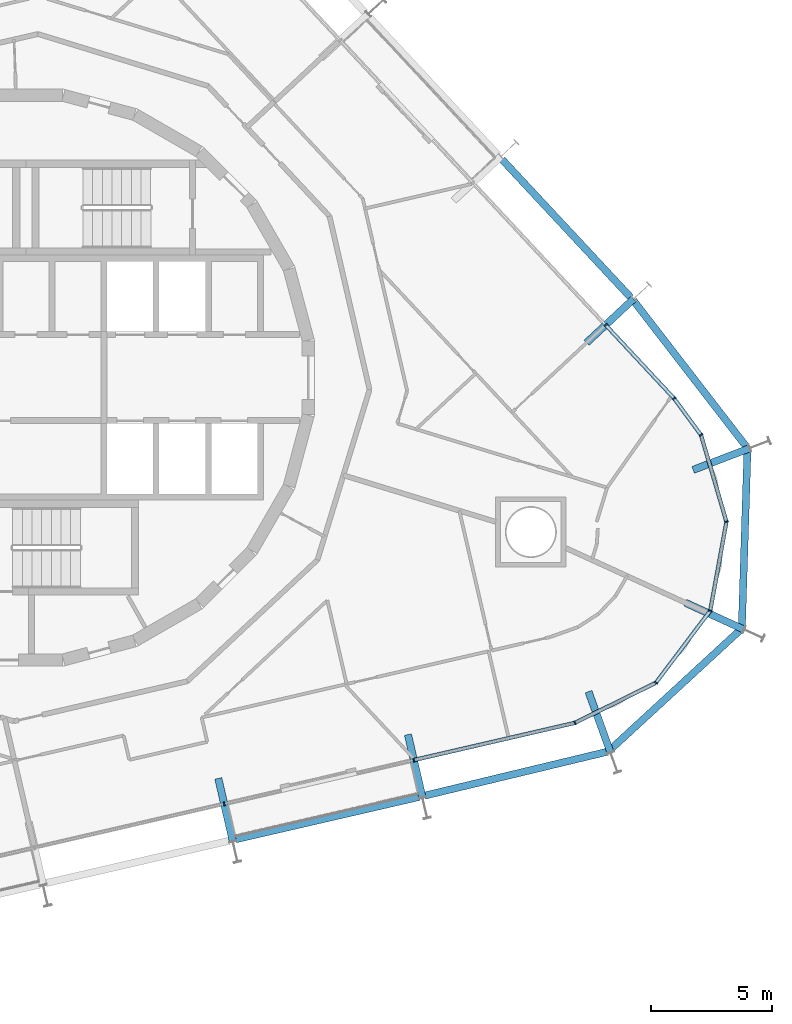
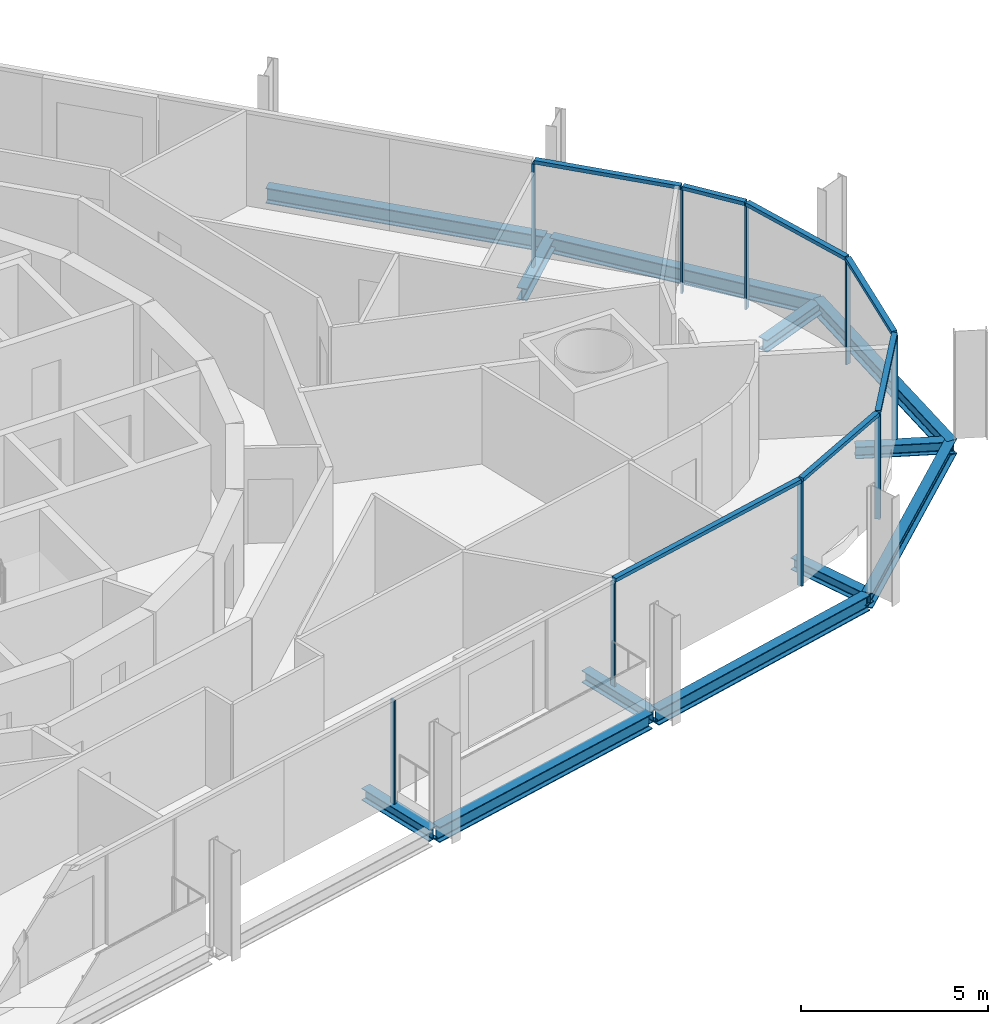
# One storey, part 6 of 18: 16 members, 12 beams, 3 elements without a shape of their own.
"""IFC4 building model written with IfcOpenShell, lengths in metres."""

from ifc_helpers import new_model, si_unit, direction, frame, origin, origin_2d, place, context, subcontext, project, spatial, rectangle, i_section, extrude, material, layer, layer_set, material_profile, profile_set, type_object, element, aggregate, save


model = new_model("IFC4")

# Units and contexts
model_context = context("Model", 3, precision=1e-05, world=origin(), true_north=direction((0.0, 1.0)))
body_context = subcontext(model_context, "Body", "Model", "MODEL_VIEW")
ifc_project = project(units=[si_unit("LENGTHUNIT", "METRE"), si_unit("AREAUNIT", "SQUARE_METRE"), si_unit("VOLUMEUNIT", "CUBIC_METRE"), si_unit("PLANEANGLEUNIT", "RADIAN"), si_unit("MASSUNIT", "GRAM", prefix="KILO")], contexts=[model_context])

# Site, building, storey
site_placement = place(None, origin())
site = spatial("IfcSite", under=ifc_project, at=site_placement, CompositionType="ELEMENT")
building_placement = place(site_placement, origin())
building = spatial("IfcBuilding", under=site, at=building_placement, Name="Spindle Arch Residences", CompositionType="ELEMENT")
storey_placement = place(building_placement, frame((0.0, 0.0, 134.39990234375)))
storey = spatial("IfcBuildingStorey", under=building, at=storey_placement, Name="L33", CompositionType="ELEMENT", Elevation=134.39990234375)

# Curtain wall, members
ifc_material_1 = material(Name="Aluminium bronze unitised frame with tinted glass", Category="aluminium")
ifc_layer_1 = layer(ifc_material_1, 0.159912109375)
ifc_layer_set_1 = layer_set([ifc_layer_1], Name="CW-D corner wall on the fillet arcs")
curtain_wall_type_1 = type_object("IfcCurtainWallType", Name="CW-D corner wall on the fillet arcs", PredefinedType="NOTDEFINED", material=ifc_layer_set_1)
curtain_wall_1_placement = place(storey_placement, origin())
curtain_wall_1 = element("IfcCurtainWall", 1, at=curtain_wall_1_placement, inside=storey, type_object=curtain_wall_type_1, Name="CW-D L33 run 1", PredefinedType="NOTDEFINED")
ifc_material_2 = material(Name="Aluminium bronze anodised mullion", Category="aluminium")
ifc_material_profile_1 = material_profile(ifc_material_2, rectangle(XDim=0.159912109375, YDim=0.06005859375, at=origin_2d()), Name="MU 60x160")
ifc_profile_set_1 = profile_set([ifc_material_profile_1], Name="Aluminium bronze anodised mullion")
member_type_1 = type_object("IfcMemberType", Name="Bronze mullion 60x160", PredefinedType="MULLION", material=ifc_profile_set_1)
member_1_placement = place(storey_placement, frame((16.002685546875, -15.775390625, -0.3798828125), z_axis=(0.0, 0.0, 1.0), x_axis=(-0.224951054344, 0.974370064785, 0.0)))
member_1 = element("IfcMember", 2, at=member_1_placement, type_object=member_type_1, Name="CW-D mullion 00", PredefinedType="MULLION", context=body_context, shape_type="SweptSolid", body=[
    extrude(rectangle(XDim=0.159912109375, YDim=0.06005859375, at=origin_2d()), origin(), (0.0, 0.0, 1.0), 3.3798828125),
])
member_2_placement = place(storey_placement, frame((22.647705078125, -14.2412109375, -0.3798828125), z_axis=(0.0, 0.0, 1.0), x_axis=(-0.443592675931, 0.896228507614, 0.0)))
member_2 = element("IfcMember", 3, at=member_2_placement, type_object=member_type_1, Name="CW-D mullion 01", PredefinedType="MULLION", context=body_context, shape_type="SweptSolid", body=[
    extrude(rectangle(XDim=0.159912109375, YDim=0.06005859375, at=origin_2d()), origin(), (0.0, 0.0, 1.0), 3.3798828125),
])
member_3_placement = place(storey_placement, frame((25.987548828125, -12.588134765625, -0.3798828125), z_axis=(0.0, 0.0, 1.0), x_axis=(-0.798635511056, 0.601815021814, 0.0)))
member_3 = element("IfcMember", 4, at=member_3_placement, type_object=member_type_1, Name="CW-D mullion 02", PredefinedType="MULLION", context=body_context, shape_type="SweptSolid", body=[
    extrude(rectangle(XDim=0.159912109375, YDim=0.06005859375, at=origin_2d()), origin(), (0.0, 0.0, 1.0), 3.3798828125),
])
member_4_placement = place(storey_placement, frame((28.23046875, -9.61181640625, -0.3798828125), z_axis=(0.0, 0.0, 1.0), x_axis=(-0.983780848179, 0.17937458782, 0.0)))
member_4 = element("IfcMember", 5, at=member_4_placement, type_object=member_type_1, Name="CW-D mullion 03", PredefinedType="MULLION", context=body_context, shape_type="SweptSolid", body=[
    extrude(rectangle(XDim=0.159912109375, YDim=0.06005859375, at=origin_2d()), origin(), (0.0, 0.0, 1.0), 3.3798828125),
])
member_5_placement = place(storey_placement, frame((28.89892578125, -5.945556640625, -0.3798828125), z_axis=(0.0, 0.0, 1.0), x_axis=(-0.959641844554, -0.281225052549, 0.0)))
member_5 = element("IfcMember", 6, at=member_5_placement, type_object=member_type_1, Name="CW-D mullion 04", PredefinedType="MULLION", context=body_context, shape_type="SweptSolid", body=[
    extrude(rectangle(XDim=0.159912109375, YDim=0.06005859375, at=origin_2d()), origin(), (0.0, 0.0, 1.0), 3.3798828125),
])
member_6_placement = place(storey_placement, frame((27.850830078125, -2.369140625, -0.3798828125), z_axis=(0.0, 0.0, 1.0), x_axis=(-0.805583724819, -0.592481951039, 0.0)))
member_6 = element("IfcMember", 7, at=member_6_placement, type_object=member_type_1, Name="CW-D mullion 05", PredefinedType="MULLION", context=body_context, shape_type="SweptSolid", body=[
    extrude(rectangle(XDim=0.159912109375, YDim=0.06005859375, at=origin_2d()), origin(), (0.0, 0.0, 1.0), 3.3798828125),
])
member_7_placement = place(storey_placement, frame((26.7392578125, -0.85791015625, -0.3798828125), z_axis=(0.0, 0.0, 1.0), x_axis=(-0.731353701619, -0.681998360062, 0.0)))
member_7 = element("IfcMember", 8, at=member_7_placement, type_object=member_type_1, Name="CW-D mullion 06", PredefinedType="MULLION", context=body_context, shape_type="SweptSolid", body=[
    extrude(rectangle(XDim=0.159912109375, YDim=0.06005859375, at=origin_2d()), origin(), (0.0, 0.0, 1.0), 3.3798828125),
])

# Curtain wall, member
ifc_material_3 = material(Name="Aluminium bronze unitised frame with tinted glass", Category="aluminium")
ifc_layer_2 = layer(ifc_material_3, 0.159912109375)
ifc_layer_set_2 = layer_set([ifc_layer_2], Name="CW-C typical residential unitised wall")
curtain_wall_type_2 = type_object("IfcCurtainWallType", Name="CW-C typical residential unitised wall", PredefinedType="NOTDEFINED", material=ifc_layer_set_2)
curtain_wall_2_placement = place(storey_placement, origin())
curtain_wall_2 = element("IfcCurtainWall", 9, at=curtain_wall_2_placement, inside=storey, type_object=curtain_wall_type_2, Name="CW-C L33 run 2", PredefinedType="NOTDEFINED")
member_8_placement = place(storey_placement, frame((23.91357421875, 2.172607421875, -0.3798828125), z_axis=(0.0, 0.0, 1.0), x_axis=(-0.731353701619, -0.681998360062, 0.0)))
member_8 = element("IfcMember", 10, at=member_8_placement, type_object=member_type_1, Name="CW-C mullion 05", PredefinedType="MULLION", context=body_context, shape_type="SweptSolid", body=[
    extrude(rectangle(XDim=0.159912109375, YDim=0.06005859375, at=origin_2d()), origin(), (0.0, 0.0, 1.0), 3.3798828125),
])
aggregate(curtain_wall_2, [member_8])

curtain_wall_3_placement = place(storey_placement, origin())
curtain_wall_3 = element("IfcCurtainWall", 11, at=curtain_wall_3_placement, inside=storey, type_object=curtain_wall_type_2, Name="CW-C L33 run 6", PredefinedType="NOTDEFINED")
member_9_placement = place(storey_placement, frame((8.17919921875, -17.58154296875, -0.3798828125), z_axis=(0.0, 0.0, 1.0), x_axis=(-0.224951054344, 0.974370064785, 0.0)))
member_9 = element("IfcMember", 12, at=member_9_placement, type_object=member_type_1, Name="CW-C mullion 00", PredefinedType="MULLION", context=body_context, shape_type="SweptSolid", body=[
    extrude(rectangle(XDim=0.159912109375, YDim=0.06005859375, at=origin_2d()), origin(), (0.0, 0.0, 1.0), 3.3798828125),
])
aggregate(curtain_wall_3, [member_9])

# Member
ifc_material_4 = material(Name="Aluminium bronze anodised transom", Category="aluminium")
ifc_material_profile_2 = material_profile(ifc_material_4, rectangle(XDim=0.159912109375, YDim=0.1201171875, at=origin_2d()), Name="TR 120x160")
ifc_profile_set_2 = profile_set([ifc_material_profile_2], Name="Aluminium bronze anodised transom")
member_type_2 = type_object("IfcMemberType", Name="Bronze transom 120x160", PredefinedType="USERDEFINED", material=ifc_profile_set_2)
member_10_placement = place(storey_placement, frame((16.03173828125, -15.7685546875, 3.06005859375), z_axis=(0.974374758263, 0.224930723691, 0.0), x_axis=(-0.224930723691, 0.974374758263, 0.0)))
member_10 = element("IfcMember", 13, at=member_10_placement, type_object=member_type_2, Name="CW-D transom 00", ObjectType="TRANSOM", PredefinedType="USERDEFINED", context=body_context, shape_type="SweptSolid", body=[
    extrude(rectangle(XDim=0.159912109375, YDim=0.1201171875, at=origin_2d()), origin(), (0.0, 0.0, 1.0), 6.760009765625),
])

member_11_placement = place(storey_placement, frame((22.674560546875, -14.22802734375, 3.06005859375), z_axis=(0.896204490037, 0.443641197408, 0.0), x_axis=(-0.443641197408, 0.896204490037, 0.0)))
member_11 = element("IfcMember", 14, at=member_11_placement, type_object=member_type_2, Name="CW-D transom 01", ObjectType="TRANSOM", PredefinedType="USERDEFINED", context=body_context, shape_type="SweptSolid", body=[
    extrude(rectangle(XDim=0.159912109375, YDim=0.1201171875, at=origin_2d()), origin(), (0.0, 0.0, 1.0), 3.666748046875),
])

member_12_placement = place(storey_placement, frame((26.005615234375, -12.564208984375, 3.06005859375), z_axis=(0.601820083797, 0.798631696553, 0.0), x_axis=(-0.798631696553, 0.601820083797, 0.0)))
member_12 = element("IfcMember", 15, at=member_12_placement, type_object=member_type_2, Name="CW-D transom 02", ObjectType="TRANSOM", PredefinedType="USERDEFINED", context=body_context, shape_type="SweptSolid", body=[
    extrude(rectangle(XDim=0.159912109375, YDim=0.1201171875, at=origin_2d()), origin(), (0.0, 0.0, 1.0), 3.666748046875),
])

member_13_placement = place(storey_placement, frame((28.23583984375, -9.582275390625, 3.06005859375), z_axis=(0.179377605594, 0.983780297938, 0.0), x_axis=(-0.983780297938, 0.179377605594, 0.0)))
member_13 = element("IfcMember", 16, at=member_13_placement, type_object=member_type_2, Name="CW-D transom 03", ObjectType="TRANSOM", PredefinedType="USERDEFINED", context=body_context, shape_type="SweptSolid", body=[
    extrude(rectangle(XDim=0.159912109375, YDim=0.1201171875, at=origin_2d()), origin(), (0.0, 0.0, 1.0), 3.666748046875),
])

member_14_placement = place(storey_placement, frame((28.890625, -5.916748046875, 3.06005859375), z_axis=(-0.281239778168, 0.959637529058, 0.0), x_axis=(-0.959637529058, -0.281239778168, 0.0)))
member_14 = element("IfcMember", 17, at=member_14_placement, type_object=member_type_2, Name="CW-D transom 04", ObjectType="TRANSOM", PredefinedType="USERDEFINED", context=body_context, shape_type="SweptSolid", body=[
    extrude(rectangle(XDim=0.159912109375, YDim=0.1201171875, at=origin_2d()), origin(), (0.0, 0.0, 1.0), 3.666748046875),
])

member_15_placement = place(storey_placement, frame((27.833251953125, -2.344970703125, 3.06005859375), z_axis=(-0.592575212526, 0.805515125557, 0.0), x_axis=(-0.805515125557, -0.592575212526, 0.0)))
member_15 = element("IfcMember", 18, at=member_15_placement, type_object=member_type_2, Name="CW-D transom 05", ObjectType="TRANSOM", PredefinedType="USERDEFINED", context=body_context, shape_type="SweptSolid", body=[
    extrude(rectangle(XDim=0.159912109375, YDim=0.1201171875, at=origin_2d()), origin(), (0.0, 0.0, 1.0), 1.816162109375),
])

member_16_placement = place(storey_placement, frame((26.718994140625, -0.8359375, 3.06005859375), z_axis=(-0.681983744213, 0.731367330846, 0.0), x_axis=(-0.731367330846, -0.681983744213, 0.0)))
member_16 = element("IfcMember", 19, at=member_16_placement, type_object=member_type_2, Name="CW-D transom 06", ObjectType="TRANSOM", PredefinedType="USERDEFINED", context=body_context, shape_type="SweptSolid", body=[
    extrude(rectangle(XDim=0.159912109375, YDim=0.1201171875, at=origin_2d()), origin(), (0.0, 0.0, 1.0), 4.08349609375),
])

aggregate(curtain_wall_1, [member_1, member_10, member_2, member_11, member_3, member_12, member_4, member_13, member_5, member_14, member_6, member_15, member_7, member_16])

# Beams
ifc_material_5 = material(Name="Steel S460ML, intumescent coating R 120", Category="steel")
ifc_material_profile_3 = material_profile(ifc_material_5, i_section(OverallWidth=0.300048828125, OverallDepth=0.5, WebThickness=0.014404296875, FlangeThickness=0.028076171875, FilletRadius=0.027099609375, at=origin_2d()), Name="HEB 500")
ifc_profile_set_3 = profile_set([ifc_material_profile_3], Name="Steel S460ML, intumescent coating R 120")
beam_type_1 = type_object("IfcBeamType", Name="Exoskeleton edge beam HEB 500", PredefinedType="BEAM", material=ifc_profile_set_3)
beam_1_placement = place(storey_placement, frame((8.64990234375, -19.043212890625, -0.6298828125), z_axis=(0.974368417755, 0.224958188297, 0.0), x_axis=(-0.224958188297, 0.974368417755, 0.0)))
element("IfcBeam", 20, at=beam_1_placement, inside=storey, type_object=beam_type_1, Name="Exoskeleton edge beam 1", PredefinedType="BEAM", context=body_context, shape_type="SweptSolid", body=[
    extrude(i_section(OverallWidth=0.300048828125, OverallDepth=0.5, WebThickness=0.014404296875, FlangeThickness=0.028076171875, FilletRadius=0.027099609375, at=origin_2d()), origin(), (0.0, 0.0, 1.0), 7.76953125),
])
beam_2_placement = place(storey_placement, frame((16.44482421875, -17.243408203125, -0.6298828125), z_axis=(0.972297635128, 0.233746248579, 0.0), x_axis=(-0.233746248579, 0.972297635128, 0.0)))
element("IfcBeam", 21, at=beam_2_placement, inside=storey, type_object=beam_type_1, Name="Exoskeleton edge beam 2", PredefinedType="BEAM", context=body_context, shape_type="SweptSolid", body=[
    extrude(i_section(OverallWidth=0.300048828125, OverallDepth=0.5, WebThickness=0.014404296875, FlangeThickness=0.028076171875, FilletRadius=0.027099609375, at=origin_2d()), origin(), (0.0, 0.0, 1.0), 7.7666015625),
])
for number, where, z_axis, x_axis, name in (
    (22, (24.025146484375, -15.419189453125, -0.6298828125), (0.73568442847, 0.677324458223, 0.0), (-0.677324458223, 0.73568442847, 0.0), "Exoskeleton edge beam 3"),
    (23, (29.5283203125, -10.42578125, -0.6298828125), (0.031715707037, 0.999496930424, 0.0), (-0.999496930424, 0.031715707037, 0.0), "Exoskeleton edge beam 4"),
):
    element("IfcBeam", number, at=place(storey_placement, frame(where, z_axis=z_axis, x_axis=x_axis)), inside=storey, type_object=beam_type_1, Name=name, PredefinedType="BEAM", context=body_context, shape_type="SweptSolid", body=[
        extrude(i_section(OverallWidth=0.300048828125, OverallDepth=0.5, WebThickness=0.014404296875, FlangeThickness=0.028076171875, FilletRadius=0.027099609375, at=origin_2d()), origin(), (0.0, 0.0, 1.0), 7.559326171875),
    ])
beam_3_placement = place(storey_placement, frame((29.766845703125, -2.91259765625, -0.6298828125), z_axis=(-0.611305970043, 0.791394346069, 0.0), x_axis=(-0.791394346069, -0.611305970043, 0.0)))
element("IfcBeam", 24, at=beam_3_placement, inside=storey, type_object=beam_type_1, Name="Exoskeleton edge beam 5", PredefinedType="BEAM", context=body_context, shape_type="SweptSolid", body=[
    extrude(i_section(OverallWidth=0.300048828125, OverallDepth=0.5, WebThickness=0.014404296875, FlangeThickness=0.028076171875, FilletRadius=0.027099609375, at=origin_2d()), origin(), (0.0, 0.0, 1.0), 7.708251953125),
])
beam_4_placement = place(storey_placement, frame((24.94384765625, 3.31103515625, -0.6298828125), z_axis=(-0.682008048331, 0.731344667042, 0.0), x_axis=(-0.731344667042, -0.682008048331, 0.0)))
element("IfcBeam", 25, at=beam_4_placement, inside=storey, type_object=beam_type_1, Name="Exoskeleton edge beam 6", PredefinedType="BEAM", context=body_context, shape_type="SweptSolid", body=[
    extrude(i_section(OverallWidth=0.300048828125, OverallDepth=0.5, WebThickness=0.014404296875, FlangeThickness=0.028076171875, FilletRadius=0.027099609375, at=origin_2d()), origin(), (0.0, 0.0, 1.0), 7.76904296875),
])
ifc_material_6 = material(Name="Steel S460ML, intumescent coating R 120", Category="steel")
ifc_material_profile_4 = material_profile(ifc_material_6, i_section(OverallWidth=0.300048828125, OverallDepth=0.389892578125, WebThickness=0.010986328125, FlangeThickness=0.01904296875, FilletRadius=0.027099609375, at=origin_2d()), Name="HEA 400")
ifc_profile_set_4 = profile_set([ifc_material_profile_4], Name="Steel S460ML, intumescent coating R 120")
beam_type_2 = type_object("IfcBeamType", Name="Floor outrigger HEA 400", PredefinedType="BEAM", material=ifc_profile_set_4)
for number, where, z_axis, x_axis, name in (
    (26, (8.532470703125, -19.111328125, -0.574951171875), (-0.224980619228, 0.974363238721, 0.0), (-0.974363238721, -0.224980619228, 0.0), "Floor outrigger 1"),
    (27, (16.355712890625, -17.30517578125, -0.574951171875), (-0.224893150114, 0.974383431218, 0.0), (-0.974383431218, -0.224893150114, 0.0), "Floor outrigger 2"),
):
    element("IfcBeam", number, at=place(storey_placement, frame(where, z_axis=z_axis, x_axis=x_axis)), inside=storey, type_object=beam_type_2, Name=name, PredefinedType="BEAM", context=body_context, shape_type="SweptSolid", body=[
        extrude(i_section(OverallWidth=0.300048828125, OverallDepth=0.389892578125, WebThickness=0.010986328125, FlangeThickness=0.01904296875, FilletRadius=0.027099609375, at=origin_2d()), origin(), (0.0, 0.0, 1.0), 2.64990234375),
    ])
beam_5_placement = place(storey_placement, frame((24.1083984375, -15.444580078125, -0.574951171875), z_axis=(-0.339759917159, 0.940512200183, 0.0), x_axis=(-0.940512200183, -0.339759917159, 0.0)))
element("IfcBeam", 28, at=beam_5_placement, inside=storey, type_object=beam_type_2, Name="Floor outrigger 3", PredefinedType="BEAM", context=body_context, shape_type="SweptSolid", body=[
    extrude(i_section(OverallWidth=0.300048828125, OverallDepth=0.389892578125, WebThickness=0.010986328125, FlangeThickness=0.01904296875, FilletRadius=0.027099609375, at=origin_2d()), origin(), (0.0, 0.0, 1.0), 2.650146484375),
])
beam_6_placement = place(storey_placement, frame((29.604736328125, -10.384033203125, -0.574951171875), z_axis=(-0.909319126007, 0.416099419703, 0.0), x_axis=(-0.416099419703, -0.909319126007, 0.0)))
element("IfcBeam", 29, at=beam_6_placement, inside=storey, type_object=beam_type_2, Name="Floor outrigger 4", PredefinedType="BEAM", context=body_context, shape_type="SweptSolid", body=[
    extrude(i_section(OverallWidth=0.300048828125, OverallDepth=0.389892578125, WebThickness=0.010986328125, FlangeThickness=0.01904296875, FilletRadius=0.027099609375, at=origin_2d()), origin(), (0.0, 0.0, 1.0), 2.649658203125),
])
beam_7_placement = place(storey_placement, frame((29.841796875, -2.9169921875, -0.574951171875), z_axis=(-0.933858846877, -0.35764179581, 0.0), x_axis=(0.35764179581, -0.933858846877, 0.0)))
element("IfcBeam", 30, at=beam_7_placement, inside=storey, type_object=beam_type_2, Name="Floor outrigger 5", PredefinedType="BEAM", context=body_context, shape_type="SweptSolid", body=[
    extrude(i_section(OverallWidth=0.300048828125, OverallDepth=0.389892578125, WebThickness=0.010986328125, FlangeThickness=0.01904296875, FilletRadius=0.027099609375, at=origin_2d()), origin(), (0.0, 0.0, 1.0), 2.484130859375),
])
beam_8_placement = place(storey_placement, frame((25.061767578125, 3.2431640625, -0.574951171875), z_axis=(-0.731321752584, -0.682032619599, 0.0), x_axis=(0.682032619599, -0.731321752584, 0.0)))
element("IfcBeam", 31, at=beam_8_placement, inside=storey, type_object=beam_type_2, Name="Floor outrigger 6", PredefinedType="BEAM", context=body_context, shape_type="SweptSolid", body=[
    extrude(i_section(OverallWidth=0.300048828125, OverallDepth=0.389892578125, WebThickness=0.010986328125, FlangeThickness=0.01904296875, FilletRadius=0.027099609375, at=origin_2d()), origin(), (0.0, 0.0, 1.0), 2.64990234375),
])

save(model, "model.ifc")
